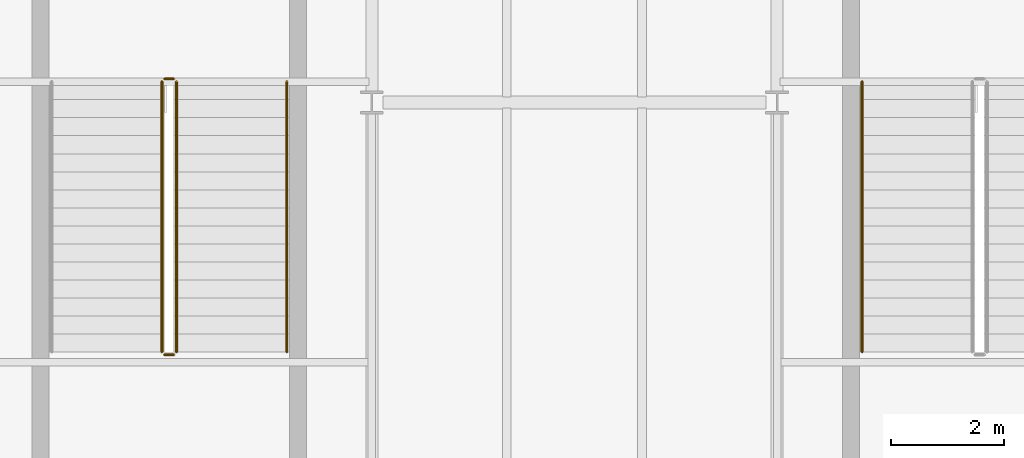
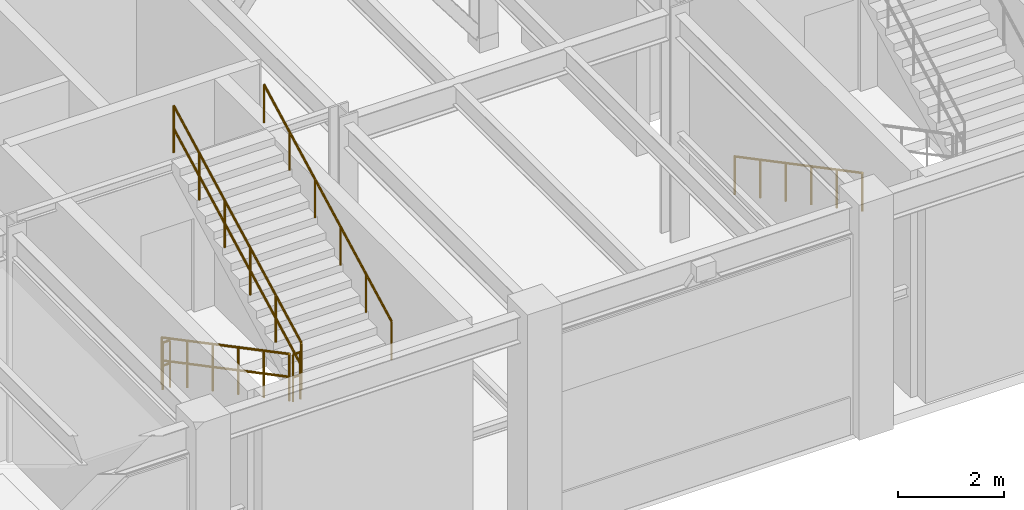
# One storey, part 93 of 97: 6 railings.
"""IFC4 building model written with IfcOpenShell, lengths in metres."""

from ifc_helpers import new_model, si_unit, direction, frame, origin, origin_2d, place, context, subcontext, project, spatial, circle, extrude, material, layer, layer_set, type_object, element, save


model = new_model("IFC4")

# Units and contexts
model_context = context("Model", 3, precision=1e-05, world=origin(), true_north=direction((0.0, 1.0)))
body_context = subcontext(model_context, "Body", "Model", "MODEL_VIEW")
ifc_project = project(units=[si_unit("LENGTHUNIT", "METRE"), si_unit("AREAUNIT", "SQUARE_METRE"), si_unit("VOLUMEUNIT", "CUBIC_METRE"), si_unit("PLANEANGLEUNIT", "RADIAN"), si_unit("MASSUNIT", "GRAM", prefix="KILO")], contexts=[model_context])

# Site, building, storey
site_placement = place(None, origin())
site = spatial("IfcSite", under=ifc_project, at=site_placement, CompositionType="ELEMENT")
building_placement = place(site_placement, origin())
building = spatial("IfcBuilding", under=site, at=building_placement, Name="Sillqori Civic Hall", CompositionType="ELEMENT")
storey_placement = place(building_placement, origin())
storey = spatial("IfcBuildingStorey", under=building, at=storey_placement, Name="L01", CompositionType="ELEMENT", Elevation=0.0)

# Railings
ifc_material_1 = material(Name="Brushed Stainless Steel 316 Handrail", Category="steel")
ifc_layer_1 = layer(ifc_material_1, 0.044921875)
ifc_layer_set_1 = layer_set([ifc_layer_1], Name="Brushed Stainless Steel 316 Handrail")
railing_type_1 = type_object("IfcRailingType", Name="RLG-CORE-092", PredefinedType="HANDRAIL", material=ifc_layer_set_1)
railing_1_placement = place(storey_placement, frame((56.090087890625, 81.969970703125, 2.86865234375)))
element("IfcRailing", 1, at=railing_1_placement, inside=storey, type_object=railing_type_1, Name="L01 ST-05 stair handrail 2", PredefinedType="HANDRAIL", context=body_context, shape_type="SweptSolid", body=[
    extrude(circle(Radius=0.02392578125, at=origin_2d()), frame((0.0, 0.0, 0.8759765625), z_axis=(0.0, 0.8845451381, 0.466454605148), x_axis=(-1.0, 0.0, 0.0)), (0.0, 0.0, 1.0), 5.426513671875),
    extrude(circle(Radius=0.02099609375, at=origin_2d()), origin(), (0.0, 0.0, 1.0), 0.851806640625),
    extrude(circle(Radius=0.02099609375, at=origin_2d()), frame((0.0, 0.9599609375, 0.50634765625)), (0.0, 0.0, 1.0), 0.851806640625),
    extrude(circle(Radius=0.02099609375, at=origin_2d()), frame((0.0, 1.919921875, 1.012451171875)), (0.0, 0.0, 1.0), 0.851806640625),
    extrude(circle(Radius=0.02099609375, at=origin_2d()), frame((0.0, 2.880126953125, 1.518798828125)), (0.0, 0.0, 1.0), 0.851806640625),
    extrude(circle(Radius=0.02099609375, at=origin_2d()), frame((0.0, 3.840087890625, 2.02490234375)), (0.0, 0.0, 1.0), 0.851806640625),
    extrude(circle(Radius=0.02099609375, at=origin_2d()), frame((0.0, 4.800048828125, 2.53125)), (0.0, 0.0, 1.0), 0.851806640625),
])
railing_2_placement = place(storey_placement, frame((66.31005859375, 86.77001953125, 0.168701171875)))
element("IfcRailing", 2, at=railing_2_placement, inside=storey, type_object=railing_type_1, Name="L01 ST-06 stair handrail 1", PredefinedType="HANDRAIL", context=body_context, shape_type="SweptSolid", body=[
    extrude(circle(Radius=0.02392578125, at=origin_2d()), frame((0.0, 0.0, 0.8759765625), z_axis=(0.0, -0.8845451381, 0.466454605148), x_axis=(1.0, 0.0, 0.0)), (0.0, 0.0, 1.0), 5.426513671875),
    extrude(circle(Radius=0.02099609375, at=origin_2d()), origin(), (0.0, 0.0, 1.0), 0.851806640625),
    extrude(circle(Radius=0.02099609375, at=origin_2d()), frame((0.0, -0.9599609375, 0.50634765625)), (0.0, 0.0, 1.0), 0.851806640625),
    extrude(circle(Radius=0.02099609375, at=origin_2d()), frame((0.0, -1.919921875, 1.012451171875)), (0.0, 0.0, 1.0), 0.851806640625),
    extrude(circle(Radius=0.02099609375, at=origin_2d()), frame((0.0, -2.880126953125, 1.518798828125)), (0.0, 0.0, 1.0), 0.851806640625),
    extrude(circle(Radius=0.02099609375, at=origin_2d()), frame((0.0, -3.840087890625, 2.02490234375)), (0.0, 0.0, 1.0), 0.851806640625),
    extrude(circle(Radius=0.02099609375, at=origin_2d()), frame((0.0, -4.800048828125, 2.53125)), (0.0, 0.0, 1.0), 0.851806640625),
])
ifc_material_2 = material(Name="Galvanized Painted Steel Guardrail", Category="steel")
ifc_layer_2 = layer(ifc_material_2, 0.050048828125)
ifc_layer_set_2 = layer_set([ifc_layer_2], Name="Galvanized Painted Steel Guardrail")
railing_type_2 = type_object("IfcRailingType", Name="RLG-CORE-110", PredefinedType="GUARDRAIL", material=ifc_layer_set_2)
railing_3_placement = place(storey_placement, frame((53.8701171875, 86.77001953125, 0.168701171875)))
element("IfcRailing", 3, at=railing_3_placement, inside=storey, type_object=railing_type_2, Name="L01 ST-05 stair guard 1", PredefinedType="GUARDRAIL", context=body_context, shape_type="SweptSolid", body=[
    extrude(circle(Radius=0.02392578125, at=origin_2d()), frame((0.0, 0.0, 1.076171875), z_axis=(0.0, -0.8845451381, 0.466454605148), x_axis=(1.0, 0.0, 0.0)), (0.0, 0.0, 1.0), 5.426513671875),
    extrude(circle(Radius=0.02392578125, at=origin_2d()), frame((0.0, 0.0, 0.550048828125), z_axis=(0.0, -0.8845451381, 0.466454605148), x_axis=(1.0, 0.0, 0.0)), (0.0, 0.0, 1.0), 5.426513671875),
    extrude(circle(Radius=0.02099609375, at=origin_2d()), origin(), (0.0, 0.0, 1.0), 1.052001953125),
    extrude(circle(Radius=0.02099609375, at=origin_2d()), frame((0.0, -0.9599609375, 0.50634765625)), (0.0, 0.0, 1.0), 1.052001953125),
    extrude(circle(Radius=0.02099609375, at=origin_2d()), frame((0.0, -1.919921875, 1.012451171875)), (0.0, 0.0, 1.0), 1.052001953125),
    extrude(circle(Radius=0.02099609375, at=origin_2d()), frame((0.0, -2.880126953125, 1.518798828125)), (0.0, 0.0, 1.0), 1.052001953125),
    extrude(circle(Radius=0.02099609375, at=origin_2d()), frame((0.0, -3.840087890625, 2.02490234375)), (0.0, 0.0, 1.0), 1.052001953125),
    extrude(circle(Radius=0.02099609375, at=origin_2d()), frame((0.0, -4.800048828125, 2.53125)), (0.0, 0.0, 1.0), 1.052001953125),
])
railing_4_placement = place(storey_placement, frame((53.919921875, 81.919921875, 2.699951171875)))
element("IfcRailing", 4, at=railing_4_placement, inside=storey, type_object=railing_type_2, Name="L01 ST-05 stair guard 2", PredefinedType="GUARDRAIL", context=body_context, shape_type="SweptSolid", body=[
    extrude(circle(Radius=0.02392578125, at=origin_2d()), frame((0.0, 0.0, 1.076171875), z_axis=(1.0, 0.0, 0.0), x_axis=(0.0, 1.0, 0.0)), (0.0, 0.0, 1.0), 0.16015625),
    extrude(circle(Radius=0.02392578125, at=origin_2d()), frame((0.0, 0.0, 0.550048828125), z_axis=(1.0, 0.0, 0.0), x_axis=(0.0, 1.0, 0.0)), (0.0, 0.0, 1.0), 0.16015625),
    extrude(circle(Radius=0.02099609375, at=origin_2d()), origin(), (0.0, 0.0, 1.0), 1.052001953125),
    extrude(circle(Radius=0.02099609375, at=origin_2d()), frame((0.16015625, 0.0, 0.0)), (0.0, 0.0, 1.0), 1.052001953125),
])
railing_5_placement = place(storey_placement, frame((54.1298828125, 81.969970703125, 2.86865234375)))
element("IfcRailing", 5, at=railing_5_placement, inside=storey, type_object=railing_type_2, Name="L01 ST-05 stair guard 3", PredefinedType="GUARDRAIL", context=body_context, shape_type="SweptSolid", body=[
    extrude(circle(Radius=0.02392578125, at=origin_2d()), frame((0.0, 0.0, 1.076171875), z_axis=(0.0, 0.8845451381, 0.466454605148), x_axis=(-1.0, 0.0, 0.0)), (0.0, 0.0, 1.0), 5.426513671875),
    extrude(circle(Radius=0.02392578125, at=origin_2d()), frame((0.0, 0.0, 0.550048828125), z_axis=(0.0, 0.8845451381, 0.466454605148), x_axis=(-1.0, 0.0, 0.0)), (0.0, 0.0, 1.0), 5.426513671875),
    extrude(circle(Radius=0.02099609375, at=origin_2d()), origin(), (0.0, 0.0, 1.0), 1.052001953125),
    extrude(circle(Radius=0.02099609375, at=origin_2d()), frame((0.0, 0.9599609375, 0.50634765625)), (0.0, 0.0, 1.0), 1.052001953125),
    extrude(circle(Radius=0.02099609375, at=origin_2d()), frame((0.0, 1.919921875, 1.012451171875)), (0.0, 0.0, 1.0), 1.052001953125),
    extrude(circle(Radius=0.02099609375, at=origin_2d()), frame((0.0, 2.880126953125, 1.518798828125)), (0.0, 0.0, 1.0), 1.052001953125),
    extrude(circle(Radius=0.02099609375, at=origin_2d()), frame((0.0, 3.840087890625, 2.02490234375)), (0.0, 0.0, 1.0), 1.052001953125),
    extrude(circle(Radius=0.02099609375, at=origin_2d()), frame((0.0, 4.800048828125, 2.53125)), (0.0, 0.0, 1.0), 1.052001953125),
])
railing_6_placement = place(storey_placement, frame((53.919921875, 86.820068359375, 0.0)))
element("IfcRailing", 6, at=railing_6_placement, inside=storey, type_object=railing_type_2, Name="L01 ST-05 stair guard 4", PredefinedType="GUARDRAIL", context=body_context, shape_type="SweptSolid", body=[
    extrude(circle(Radius=0.02392578125, at=origin_2d()), frame((0.0, 0.0, 1.076171875), z_axis=(1.0, 0.0, 0.0), x_axis=(0.0, 1.0, 0.0)), (0.0, 0.0, 1.0), 0.16015625),
    extrude(circle(Radius=0.02392578125, at=origin_2d()), frame((0.0, 0.0, 0.550048828125), z_axis=(1.0, 0.0, 0.0), x_axis=(0.0, 1.0, 0.0)), (0.0, 0.0, 1.0), 0.16015625),
    extrude(circle(Radius=0.02099609375, at=origin_2d()), origin(), (0.0, 0.0, 1.0), 1.052001953125),
    extrude(circle(Radius=0.02099609375, at=origin_2d()), frame((0.16015625, 0.0, 0.0)), (0.0, 0.0, 1.0), 1.052001953125),
])

save(model, "model.ifc")
